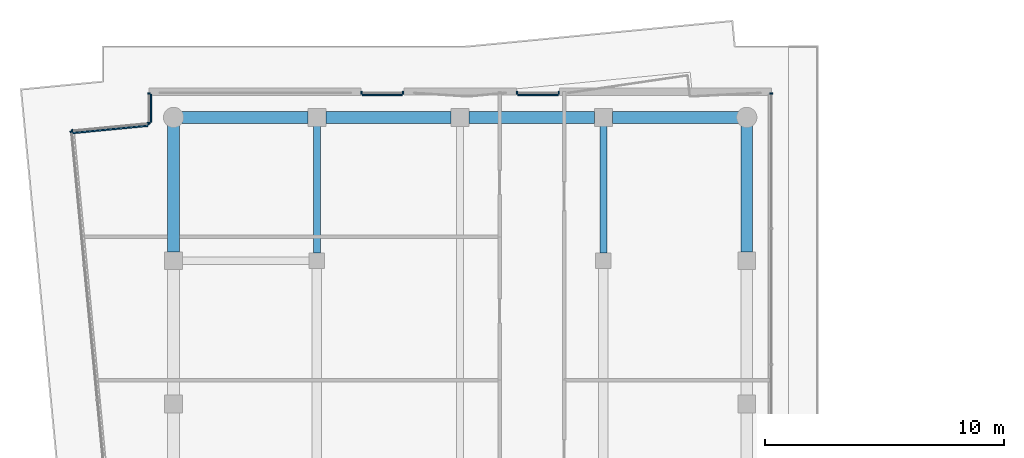
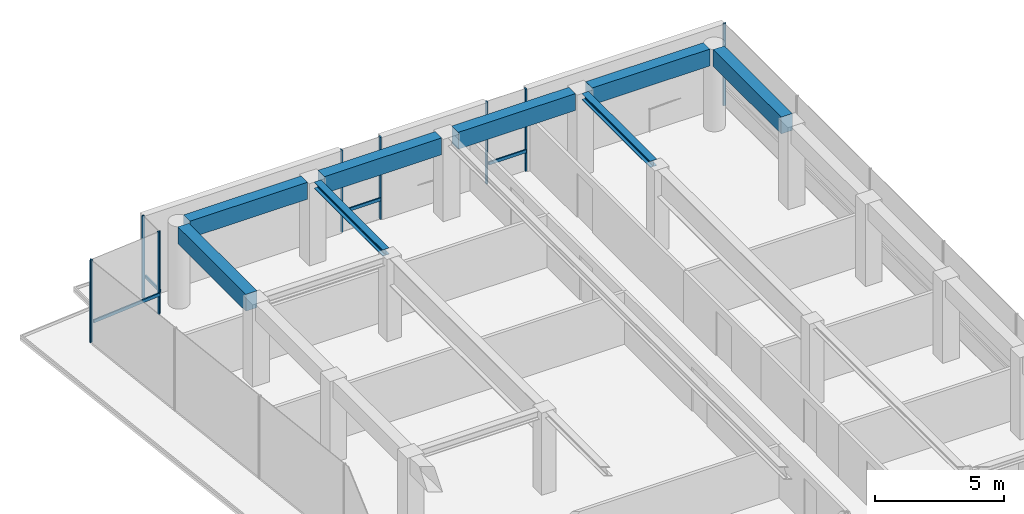
# One storey, part 16 of 22: 14 members, 8 beams, 6 elements without a shape of their own.
"""IFC4 building model written with IfcOpenShell, lengths in metres."""

import ifcopenshell
import ifcopenshell.guid

model = None  # the IFC model being written
_history = None  # IfcOwnerHistory: only IFC2X3 demands one
_inside = {}  # id of a spatial element -> (the spatial element, [elements in it])
_under = {}  # id of a project, library or spatial element -> (it, [spatial elements below it])
_declared = {}  # id of a project -> (the project, [libraries it declares])
_typed = {}  # id of a type object -> (the type object, [elements of that type])
_made_of = {}  # id of a material, layer set ... -> (it, [elements and type objects made of it])


def new_model(schema):
    """Start an empty IFC model of exactly this schema.

    Asked for "IFC4X3", IfcOpenShell would pick the latest addendum, in which some entities
    have other attributes; the version numbers below select the first issue.
    IFC2X3 requires an IfcOwnerHistory on every rooted entity: one is made here for all.
    """
    global model, _history
    if schema == "IFC4X3":
        model = ifcopenshell.file(schema_version=(4, 3, 0, 0))
    else:
        model = ifcopenshell.file(schema=schema)
    _inside.clear()
    _under.clear()
    _declared.clear()
    _typed.clear()
    _made_of.clear()
    _history = None
    if model.schema == "IFC2X3":
        org = make("IfcOrganization", Name="unknown")
        user = make(
            "IfcPersonAndOrganization",
            ThePerson=make("IfcPerson", FamilyName="unknown"),
            TheOrganization=org,
        )
        app = make(
            "IfcApplication",
            ApplicationDeveloper=org,
            Version="unknown",
            ApplicationFullName="unknown",
            ApplicationIdentifier="unknown",
        )
        _history = make(
            "IfcOwnerHistory",
            OwningUser=user,
            OwningApplication=app,
            ChangeAction="ADDED",
            CreationDate=0,
        )
    return model


def make(cls, **values):
    """One entity of the class cls with the attributes given. An attribute that is None is left unset."""
    return model.create_entity(
        cls, **{name: value for name, value in values.items() if value is not None}
    )


def rooted(cls, **values):
    """An entity with a GlobalId (a new one), such as an element, a storey or a relation."""
    return make(cls, GlobalId=ifcopenshell.guid.new(), OwnerHistory=_history, **values)


def si_unit(unit_type, name, prefix=None):
    """IfcSIUnit, for example si_unit("LENGTHUNIT", "METRE", prefix="MILLI")."""
    return make("IfcSIUnit", UnitType=unit_type, Prefix=prefix, Name=name)


def assignment(units):
    """IfcUnitAssignment: the units of a project."""
    return None if units is None else make("IfcUnitAssignment", Units=units)


def point(xyz):
    """IfcCartesianPoint."""
    return None if xyz is None else make("IfcCartesianPoint", Coordinates=xyz)


def direction(xyz):
    """IfcDirection."""
    return None if xyz is None else make("IfcDirection", DirectionRatios=xyz)


def frame(location, z_axis=None, x_axis=None):
    """IfcAxis2Placement3D, a coordinate frame: its origin and axes. An axis left out is left unset."""
    return make(
        "IfcAxis2Placement3D",
        Location=point(location),
        Axis=direction(z_axis),
        RefDirection=direction(x_axis),
    )


def frame_2d(location, x_axis=None):
    """IfcAxis2Placement2D, a coordinate frame in the plane: its origin and x axis."""
    return make(
        "IfcAxis2Placement2D", Location=point(location), RefDirection=direction(x_axis)
    )


def origin():
    """The frame at (0, 0, 0) with its axes left unset."""
    return frame((0.0, 0.0, 0.0))


def origin_2d():
    """The frame at (0, 0) in the plane with its x axis left unset."""
    return frame_2d((0.0, 0.0))


def place(relative_to, where):
    """IfcLocalPlacement: puts the frame where relative to a parent placement (None: the world)."""
    return make(
        "IfcLocalPlacement", PlacementRelTo=relative_to, RelativePlacement=where
    )


def context(
    kind, dimensions, precision=None, world=None, true_north=None, identifier=None
):
    """IfcGeometricRepresentationContext, for example the 3D "Model" context."""
    return make(
        "IfcGeometricRepresentationContext",
        ContextIdentifier=identifier,
        ContextType=kind,
        CoordinateSpaceDimension=dimensions,
        Precision=precision,
        WorldCoordinateSystem=world,
        TrueNorth=true_north,
    )


def subcontext(parent, identifier, kind, view, scale=None):
    """IfcGeometricRepresentationSubContext, for example "Body" below "Model"."""
    return make(
        "IfcGeometricRepresentationSubContext",
        ContextIdentifier=identifier,
        ContextType=kind,
        ParentContext=parent,
        TargetScale=scale,
        TargetView=view,
    )


def project(units=None, contexts=None):
    """IfcProject with its units and contexts."""
    return rooted(
        "IfcProject",
        Name="project",
        RepresentationContexts=contexts,
        UnitsInContext=assignment(units),
    )


def spatial(cls, under=None, at=None, **own):
    """A site, building, storey or space (cls), placed at a placement, below another one or the project."""
    s = rooted(cls, ObjectPlacement=at, **own)
    if under is not None:
        _under.setdefault(under.id(), (under, []))[1].append(s)
    return s


def profile(cls, at=None, kind="AREA", **sizes):
    """A parametric profile (cls). Its sizes go by their IFC names, for example OverallWidth=200.0."""
    return make(cls, ProfileType=kind, Position=at, **sizes)


def rectangle(**sizes):
    """IfcRectangleProfileDef."""
    return profile("IfcRectangleProfileDef", **sizes)


def i_section(**sizes):
    """IfcIShapeProfileDef."""
    return profile("IfcIShapeProfileDef", **sizes)


def extrude(swept, where, along, depth):
    """IfcExtrudedAreaSolid: the profile swept, set in the frame where, extruded along a direction by depth."""
    return make(
        "IfcExtrudedAreaSolid",
        SweptArea=swept,
        Position=where,
        ExtrudedDirection=direction(along),
        Depth=depth,
    )


def shape(context_of_items, identifier, shape_type, items):
    """IfcShapeRepresentation: the items that make up one representation, for example the "Body"."""
    return make(
        "IfcShapeRepresentation",
        ContextOfItems=context_of_items,
        RepresentationIdentifier=identifier,
        RepresentationType=shape_type,
        Items=items,
    )


def material(Name=None, Category=None):
    """IfcMaterial."""
    return make("IfcMaterial", Name=Name, Category=Category)


def layer(
    of_material, thickness, ventilated=None, Name=None, Category=None, Priority=None
):
    """IfcMaterialLayer: one layer of a wall or slab, of a material (None: an air gap)."""
    return make(
        "IfcMaterialLayer",
        Material=of_material,
        LayerThickness=thickness,
        IsVentilated=ventilated,
        Name=Name,
        Category=Category,
        Priority=Priority,
    )


def layer_set(layers, Name=None):
    """IfcMaterialLayerSet."""
    return make("IfcMaterialLayerSet", MaterialLayers=layers, LayerSetName=Name)


def material_profile(
    of_material, cross_section, Name=None, Category=None, Priority=None
):
    """IfcMaterialProfile: a cross section and its material."""
    return make(
        "IfcMaterialProfile",
        Name=Name,
        Material=of_material,
        Profile=cross_section,
        Priority=Priority,
        Category=Category,
    )


def profile_set(profiles, Name=None, composite=None):
    """IfcMaterialProfileSet."""
    return make(
        "IfcMaterialProfileSet",
        Name=Name,
        MaterialProfiles=profiles,
        CompositeProfile=composite,
    )


def made_of(thing, what):
    """Note that an element or type object is made of a material, layer set ...; save() writes the relation."""
    if what is not None:
        _made_of.setdefault(what.id(), (what, []))[1].append(thing)
    return thing


def type_object(cls, material=None, **own):
    """A type object (cls), such as IfcWallType, which elements share."""
    return made_of(rooted(cls, **own), material)


def element(
    cls,
    number,
    at=None,
    inside=None,
    cuts=None,
    type_object=None,
    material=None,
    context=None,
    identifier="Body",
    shape_type=None,
    held_by="IfcProductDefinitionShape",
    body=None,
    shapes=None,
    **own,
):
    """One element of the class cls, such as IfcWall. Its Tag is "e" and its number.

    at: its placement. inside: the storey or other place that contains it. cuts: it is an
    opening in that element (IfcRelVoidsElement). A single representation is given by context,
    identifier, shape_type and body (its items); several are given by shapes. held_by: the class
    of the entity that holds the representations. save() writes the other relations.
    """
    e = rooted(cls, Tag="e%d" % number, ObjectPlacement=at, **own)
    if body is not None:
        shapes = [shape(context, identifier, shape_type, body)]
    if shapes is not None:
        e.Representation = make(held_by, Representations=shapes)
    if inside is not None:
        _inside.setdefault(inside.id(), (inside, []))[1].append(e)
    if cuts is not None:
        rooted(
            "IfcRelVoidsElement", RelatingBuildingElement=cuts, RelatedOpeningElement=e
        )
    if type_object is not None:
        _typed.setdefault(type_object.id(), (type_object, []))[1].append(e)
    return made_of(e, material)


def aggregate(whole, parts):
    """IfcRelAggregates: a whole, such as a stair, and the parts it consists of."""
    return rooted("IfcRelAggregates", RelatingObject=whole, RelatedObjects=parts)


def save(model, path):
    """Write the relations noted so far, then the file.

    IfcRelAggregates (storeys below a building ...), IfcRelContainedInSpatialStructure (elements
    in a storey), IfcRelDefinesByType, IfcRelAssociatesMaterial and IfcRelDeclares: one each for
    every whole, place, type object, material and project.
    """
    for whole, parts in _under.values():
        aggregate(whole, parts)
    for where, things in _inside.values():
        rooted(
            "IfcRelContainedInSpatialStructure",
            RelatedElements=things,
            RelatingStructure=where,
        )
    for kind, things in _typed.values():
        rooted("IfcRelDefinesByType", RelatedObjects=things, RelatingType=kind)
    for what, things in _made_of.values():
        rooted("IfcRelAssociatesMaterial", RelatedObjects=things, RelatingMaterial=what)
    for by, libraries in _declared.values():
        rooted("IfcRelDeclares", RelatingContext=by, RelatedDefinitions=libraries)
    model.write(path)


model = new_model("IFC4")

# Units and contexts
model_context = context("Model", 3, precision=1e-05, world=origin(), true_north=direction((0.0, 1.0)))
body_context = subcontext(model_context, "Body", "Model", "MODEL_VIEW")
ifc_project = project(units=[si_unit("LENGTHUNIT", "METRE"), si_unit("AREAUNIT", "SQUARE_METRE"), si_unit("VOLUMEUNIT", "CUBIC_METRE"), si_unit("PLANEANGLEUNIT", "RADIAN"), si_unit("MASSUNIT", "GRAM", prefix="KILO")], contexts=[model_context])

# Site, building, storey
site_placement = place(None, origin())
site = spatial("IfcSite", under=ifc_project, at=site_placement, CompositionType="ELEMENT")
building_placement = place(site_placement, origin())
building = spatial("IfcBuilding", under=site, at=building_placement, Name="Welwitschia Terrace Campus", CompositionType="ELEMENT")
storey_placement = place(building_placement, frame((0.0, 0.0, 310.39990234375)))
storey = spatial("IfcBuildingStorey", under=building, at=storey_placement, Name="L69", CompositionType="ELEMENT", Elevation=310.39990234375)

# Beams
ifc_material_1 = material(Name="Steel S355", Category="steel")
ifc_material_profile_1 = material_profile(ifc_material_1, i_section(OverallWidth=0.300048828125, OverallDepth=0.300048828125, WebThickness=0.010986328125, FlangeThickness=0.01904296875, FilletRadius=0.027099609375, at=origin_2d()))
ifc_profile_set_1 = profile_set([ifc_material_profile_1], Name="Steel S355")
beam_type_1 = type_object("IfcBeamType", Name="Interior girder HE 300 B", PredefinedType="BEAM", material=ifc_profile_set_1)
for number, where, z_axis, x_axis, name in (
    (1, (6.0, 56.325439453125, 3.75), (0.0, 1.0, 0.0), (-1.0, 0.0, 0.0), "Girder GB6"),
    (2, (18.0, 56.325439453125, 3.75), (0.0, 1.0, 0.0), (-1.0, 0.0, 0.0), "Girder GB6"),
):
    element("IfcBeam", number, at=place(storey_placement, frame(where, z_axis=z_axis, x_axis=x_axis)), inside=storey, type_object=beam_type_1, Name=name, PredefinedType="BEAM", context=body_context, shape_type="SweptSolid", body=[
        extrude(i_section(OverallWidth=0.300048828125, OverallDepth=0.300048828125, WebThickness=0.010986328125, FlangeThickness=0.01904296875, FilletRadius=0.027099609375, at=origin_2d()), origin(), (0.0, 0.0, 1.0), 5.30908203125),
    ])

# Curtain wall, member
ifc_material_2 = material(Name="Bronze anodised aluminium", Category="aluminium")
ifc_layer = layer(ifc_material_2, 0.1201171875)
ifc_layer_set = layer_set([ifc_layer], Name="Bronze anodised aluminium")
curtain_wall_type = type_object("IfcCurtainWallType", Name="Curtain wall CW2 tower 6000", PredefinedType="NOTDEFINED", material=ifc_layer_set)
curtain_wall_1_placement = place(storey_placement, origin())
curtain_wall_1 = element("IfcCurtainWall", 3, at=curtain_wall_1_placement, inside=storey, type_object=curtain_wall_type, Name="CW L69.7.0", PredefinedType="NOTDEFINED")
ifc_material_3 = material(Name="Bronze anodised aluminium", Category="aluminium")
ifc_material_profile_2 = material_profile(ifc_material_3, rectangle(XDim=0.1201171875, YDim=0.06005859375, at=origin_2d()))
ifc_profile_set_2 = profile_set([ifc_material_profile_2], Name="Bronze anodised aluminium")
member_type_1 = type_object("IfcMemberType", Name="Mullion 60x120", PredefinedType="MULLION", material=ifc_profile_set_2)
member_1_placement = place(storey_placement, frame((25.030029296875, 63.0, 0.0), z_axis=(0.0, 0.0, 1.0), x_axis=(-1.0, 0.0, 0.0)))
member_1 = element("IfcMember", 4, at=member_1_placement, type_object=member_type_1, Name="Mullion L69.7.0.6", PredefinedType="MULLION", context=body_context, shape_type="SweptSolid", body=[
    extrude(rectangle(XDim=0.1201171875, YDim=0.06005859375, at=origin_2d()), origin(), (0.0, 0.0, 1.0), 3.900146484375),
])
aggregate(curtain_wall_1, [member_1])

# Curtain wall, members
curtain_wall_2_placement = place(storey_placement, origin())
curtain_wall_2 = element("IfcCurtainWall", 5, at=curtain_wall_2_placement, inside=storey, type_object=curtain_wall_type, Name="CW L69.8.S0", PredefinedType="NOTDEFINED")
member_2_placement = place(storey_placement, frame((16.12744140625, 63.030029296875, 0.0), z_axis=(0.0, 0.0, 1.0), x_axis=(0.0, -1.0, 0.0)))
member_2 = element("IfcMember", 6, at=member_2_placement, type_object=member_type_1, Name="Mullion L69.8.S0.0", PredefinedType="MULLION", context=body_context, shape_type="SweptSolid", body=[
    extrude(rectangle(XDim=0.1201171875, YDim=0.06005859375, at=origin_2d()), origin(), (0.0, 0.0, 1.0), 3.900146484375),
])
member_3_placement = place(storey_placement, frame((14.387451171875, 63.030029296875, 0.0), z_axis=(0.0, 0.0, 1.0), x_axis=(0.0, -1.0, 0.0)))
member_3 = element("IfcMember", 7, at=member_3_placement, type_object=member_type_1, Name="Mullion L69.8.S0.1", PredefinedType="MULLION", context=body_context, shape_type="SweptSolid", body=[
    extrude(rectangle(XDim=0.1201171875, YDim=0.06005859375, at=origin_2d()), origin(), (0.0, 0.0, 1.0), 3.900146484375),
])

curtain_wall_3_placement = place(storey_placement, origin())
curtain_wall_3 = element("IfcCurtainWall", 8, at=curtain_wall_3_placement, inside=storey, type_object=curtain_wall_type, Name="CW L69.8.S1", PredefinedType="NOTDEFINED")
member_4_placement = place(storey_placement, frame((9.612548828125, 63.030029296875, 0.0), z_axis=(0.0, 0.0, 1.0), x_axis=(0.0, -1.0, 0.0)))
member_4 = element("IfcMember", 9, at=member_4_placement, type_object=member_type_1, Name="Mullion L69.8.S1.0", PredefinedType="MULLION", context=body_context, shape_type="SweptSolid", body=[
    extrude(rectangle(XDim=0.1201171875, YDim=0.06005859375, at=origin_2d()), origin(), (0.0, 0.0, 1.0), 3.900146484375),
])
member_5_placement = place(storey_placement, frame((7.87255859375, 63.030029296875, 0.0), z_axis=(0.0, 0.0, 1.0), x_axis=(0.0, -1.0, 0.0)))
member_5 = element("IfcMember", 10, at=member_5_placement, type_object=member_type_1, Name="Mullion L69.8.S1.1", PredefinedType="MULLION", context=body_context, shape_type="SweptSolid", body=[
    extrude(rectangle(XDim=0.1201171875, YDim=0.06005859375, at=origin_2d()), origin(), (0.0, 0.0, 1.0), 3.900146484375),
])

curtain_wall_4_placement = place(storey_placement, origin())
curtain_wall_4 = element("IfcCurtainWall", 11, at=curtain_wall_4_placement, inside=storey, type_object=curtain_wall_type, Name="CW L69.9.0", PredefinedType="NOTDEFINED")
member_6_placement = place(storey_placement, frame((-1.030029296875, 63.0, 0.0), z_axis=(0.0, 0.0, 1.0), x_axis=(1.0, 0.0, 0.0)))
member_6 = element("IfcMember", 12, at=member_6_placement, type_object=member_type_1, Name="Mullion L69.9.0.0", PredefinedType="MULLION", context=body_context, shape_type="SweptSolid", body=[
    extrude(rectangle(XDim=0.1201171875, YDim=0.06005859375, at=origin_2d()), origin(), (0.0, 0.0, 1.0), 3.900146484375),
])
member_7_placement = place(storey_placement, frame((-1.030029296875, 61.775634765625, 0.0), z_axis=(0.0, 0.0, 1.0), x_axis=(1.0, 0.0, 0.0)))
member_7 = element("IfcMember", 13, at=member_7_placement, type_object=member_type_1, Name="Mullion L69.9.0.1", PredefinedType="MULLION", context=body_context, shape_type="SweptSolid", body=[
    extrude(rectangle(XDim=0.1201171875, YDim=0.06005859375, at=origin_2d()), origin(), (0.0, 0.0, 1.0), 3.900146484375),
])

curtain_wall_5_placement = place(storey_placement, origin())
curtain_wall_5 = element("IfcCurtainWall", 14, at=curtain_wall_5_placement, inside=storey, type_object=curtain_wall_type, Name="CW L69.10.0", PredefinedType="NOTDEFINED")
member_8_placement = place(storey_placement, frame((-1.059814453125, 61.74267578125, 0.0), z_axis=(0.0, 0.0, 1.0), x_axis=(0.09584575252, -0.995396198367, 0.0)))
member_8 = element("IfcMember", 15, at=member_8_placement, type_object=member_type_1, Name="Mullion L69.10.0.0", PredefinedType="MULLION", context=body_context, shape_type="SweptSolid", body=[
    extrude(rectangle(XDim=0.1201171875, YDim=0.06005859375, at=origin_2d()), origin(), (0.0, 0.0, 1.0), 3.900146484375),
])
member_9_placement = place(storey_placement, frame((-4.25146484375, 61.435302734375, 0.0), z_axis=(0.0, 0.0, 1.0), x_axis=(0.09584575252, -0.995396198367, 0.0)))
member_9 = element("IfcMember", 16, at=member_9_placement, type_object=member_type_1, Name="Mullion L69.10.0.1", PredefinedType="MULLION", context=body_context, shape_type="SweptSolid", body=[
    extrude(rectangle(XDim=0.1201171875, YDim=0.06005859375, at=origin_2d()), origin(), (0.0, 0.0, 1.0), 3.900146484375),
])

# Curtain wall, member
curtain_wall_6_placement = place(storey_placement, origin())
curtain_wall_6 = element("IfcCurtainWall", 17, at=curtain_wall_6_placement, inside=storey, type_object=curtain_wall_type, Name="CW L69.11.0", PredefinedType="NOTDEFINED")
member_10_placement = place(storey_placement, frame((-4.2783203125, 61.402587890625, 0.0), z_axis=(0.0, 0.0, 1.0), x_axis=(0.995396198367, 0.09584575252, 0.0)))
member_10 = element("IfcMember", 18, at=member_10_placement, type_object=member_type_1, Name="Mullion L69.11.0.0", PredefinedType="MULLION", context=body_context, shape_type="SweptSolid", body=[
    extrude(rectangle(XDim=0.1201171875, YDim=0.06005859375, at=origin_2d()), origin(), (0.0, 0.0, 1.0), 3.900146484375),
])
aggregate(curtain_wall_6, [member_10])

# Beams
ifc_material_4 = material(Name="Concrete C50/60", Category="concrete")
ifc_material_profile_3 = material_profile(ifc_material_4, rectangle(XDim=0.5, YDim=0.800048828125, at=origin_2d()))
ifc_profile_set_3 = profile_set([ifc_material_profile_3], Name="Concrete C50/60")
beam_type_2 = type_object("IfcBeamType", Name="Ring spandrel 500x800", PredefinedType="SPANDREL", material=ifc_profile_set_3)
for number, where, z_axis, x_axis, name in (
    (19, (24.0, 56.37548828125, 3.5), (0.0, 1.0, 0.0), (-1.0, 0.0, 0.0), "Spandrel SP4"),
    (20, (23.655517578125, 62.0, 3.5), (-1.0, 0.0, 0.0), (0.0, -1.0, 0.0), "Spandrel SP4"),
):
    element("IfcBeam", number, at=place(storey_placement, frame(where, z_axis=z_axis, x_axis=x_axis)), inside=storey, type_object=beam_type_2, Name=name, PredefinedType="SPANDREL", context=body_context, shape_type="SweptSolid", body=[
        extrude(rectangle(XDim=0.5, YDim=0.800048828125, at=origin_2d()), origin(), (0.0, 0.0, 1.0), 5.280029296875),
    ])
for number, where, z_axis, x_axis, name in (
    (21, (17.62451171875, 62.0, 3.5), (-1.0, 0.0, 0.0), (0.0, -1.0, 0.0), "Spandrel SP4"),
    (22, (11.62451171875, 62.0, 3.5), (-1.0, 0.0, 0.0), (0.0, -1.0, 0.0), "Spandrel SP4"),
):
    element("IfcBeam", number, at=place(storey_placement, frame(where, z_axis=z_axis, x_axis=x_axis)), inside=storey, type_object=beam_type_2, Name=name, PredefinedType="SPANDREL", context=body_context, shape_type="SweptSolid", body=[
        extrude(rectangle(XDim=0.5, YDim=0.800048828125, at=origin_2d()), origin(), (0.0, 0.0, 1.0), 5.2490234375),
    ])
for number, where, z_axis, x_axis, name in (
    (23, (5.62451171875, 62.0, 3.5), (-1.0, 0.0, 0.0), (0.0, -1.0, 0.0), "Spandrel SP4"),
    (24, (0.0, 61.655517578125, 3.5), (0.0, -1.0, 0.0), (1.0, 0.0, 0.0), "Spandrel SP4"),
):
    element("IfcBeam", number, at=place(storey_placement, frame(where, z_axis=z_axis, x_axis=x_axis)), inside=storey, type_object=beam_type_2, Name=name, PredefinedType="SPANDREL", context=body_context, shape_type="SweptSolid", body=[
        extrude(rectangle(XDim=0.5, YDim=0.800048828125, at=origin_2d()), origin(), (0.0, 0.0, 1.0), 5.280029296875),
    ])

# Member
ifc_material_5 = material(Name="Bronze anodised aluminium", Category="aluminium")
ifc_material_profile_4 = material_profile(ifc_material_5, rectangle(XDim=0.06005859375, YDim=0.14990234375, at=origin_2d()))
ifc_profile_set_4 = profile_set([ifc_material_profile_4], Name="Bronze anodised aluminium")
member_type_2 = type_object("IfcMemberType", Name="Transom 60x150", PredefinedType="USERDEFINED", material=ifc_profile_set_4)
member_11_placement = place(storey_placement, frame((16.097412109375, 62.93994140625, 1.0), z_axis=(-1.0, 0.0, 0.0), x_axis=(0.0, -1.0, 0.0)))
member_11 = element("IfcMember", 25, at=member_11_placement, type_object=member_type_2, Name="Transom L69.8.S0", ObjectType="TRANSOM", PredefinedType="USERDEFINED", context=body_context, shape_type="SweptSolid", body=[
    extrude(rectangle(XDim=0.06005859375, YDim=0.14990234375, at=origin_2d()), origin(), (0.0, 0.0, 1.0), 1.679931640625),
])

aggregate(curtain_wall_2, [member_2, member_3, member_11])

member_12_placement = place(storey_placement, frame((9.58251953125, 62.93994140625, 1.0), z_axis=(-1.0, 0.0, 0.0), x_axis=(0.0, -1.0, 0.0)))
member_12 = element("IfcMember", 26, at=member_12_placement, type_object=member_type_2, Name="Transom L69.8.S1", ObjectType="TRANSOM", PredefinedType="USERDEFINED", context=body_context, shape_type="SweptSolid", body=[
    extrude(rectangle(XDim=0.06005859375, YDim=0.14990234375, at=origin_2d()), origin(), (0.0, 0.0, 1.0), 1.679931640625),
])

aggregate(curtain_wall_3, [member_4, member_5, member_12])

member_13_placement = place(storey_placement, frame((-0.93994140625, 62.969970703125, 1.0), z_axis=(0.0, -1.0, 0.0), x_axis=(1.0, 0.0, 0.0)))
member_13 = element("IfcMember", 27, at=member_13_placement, type_object=member_type_2, Name="Transom L69.9.0", ObjectType="TRANSOM", PredefinedType="USERDEFINED", context=body_context, shape_type="SweptSolid", body=[
    extrude(rectangle(XDim=0.06005859375, YDim=0.14990234375, at=origin_2d()), origin(), (0.0, 0.0, 1.0), 1.164306640625),
])

aggregate(curtain_wall_4, [member_6, member_7, member_13])

member_14_placement = place(storey_placement, frame((-1.0810546875, 61.650146484375, 1.0), z_axis=(-0.995397648573, -0.095830690364, 0.0), x_axis=(0.095830690364, -0.995397648573, 0.0)))
member_14 = element("IfcMember", 28, at=member_14_placement, type_object=member_type_2, Name="Transom L69.10.0", ObjectType="TRANSOM", PredefinedType="USERDEFINED", context=body_context, shape_type="SweptSolid", body=[
    extrude(rectangle(XDim=0.06005859375, YDim=0.14990234375, at=origin_2d()), origin(), (0.0, 0.0, 1.0), 3.146240234375),
])

aggregate(curtain_wall_5, [member_8, member_9, member_14])

save(model, "model.ifc")
